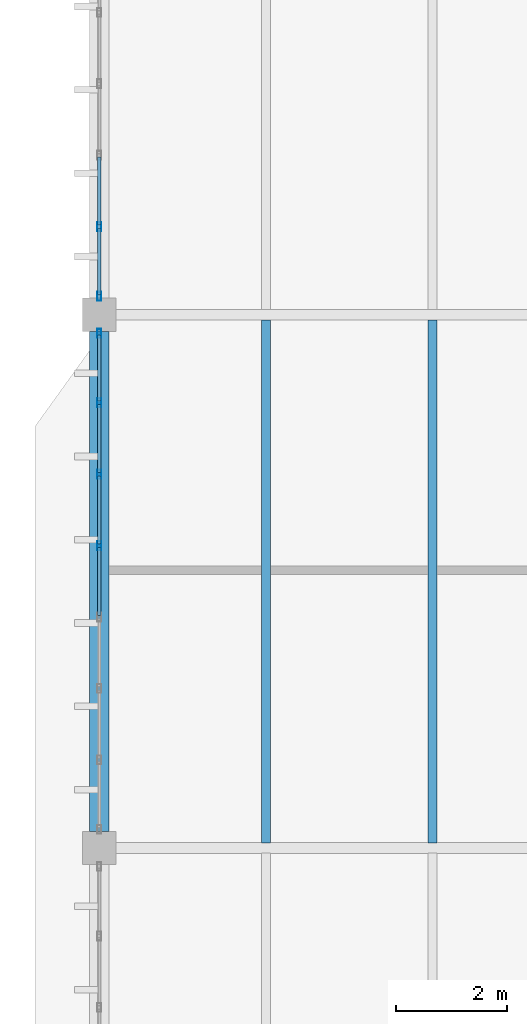
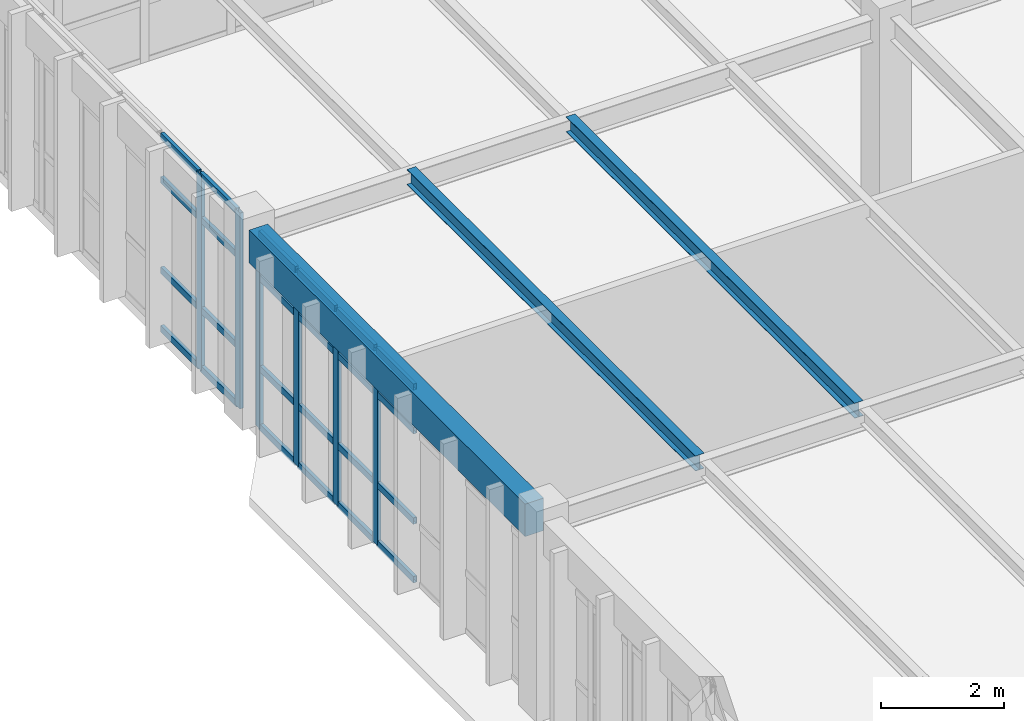
# One storey, part 45 of 83: 30 members, 3 beams, 2 elements without a shape of their own.
"""IFC4 building model written with IfcOpenShell, lengths in metres."""

from ifc_helpers import new_model, si_unit, direction, frame, origin, origin_2d, place, context, subcontext, project, spatial, rectangle, hollow_rectangle, i_section, extrude, material, layer, layer_set, material_profile, profile_set, type_object, element, aggregate, save


model = new_model("IFC4")

# Units and contexts
model_context = context("Model", 3, precision=1e-05, world=origin(), true_north=direction((0.0, 1.0)))
body_context = subcontext(model_context, "Body", "Model", "MODEL_VIEW")
ifc_project = project(units=[si_unit("LENGTHUNIT", "METRE"), si_unit("AREAUNIT", "SQUARE_METRE"), si_unit("VOLUMEUNIT", "CUBIC_METRE"), si_unit("PLANEANGLEUNIT", "RADIAN"), si_unit("MASSUNIT", "GRAM", prefix="KILO")], contexts=[model_context])

# Site, building, storey
site_placement = place(None, origin())
site = spatial("IfcSite", under=ifc_project, at=site_placement, CompositionType="ELEMENT")
building_placement = place(site_placement, origin())
building = spatial("IfcBuilding", under=site, at=building_placement, Name="Pandanus Reach Market Hall", CompositionType="ELEMENT")
storey_placement = place(building_placement, frame((0.0, 0.0, 10.199951171875)))
storey = spatial("IfcBuildingStorey", under=building, at=storey_placement, Name="L02", CompositionType="ELEMENT", Elevation=10.199951171875)

# Beam
ifc_material_1 = material(Name="Concrete N40 (40 MPa)", Category="concrete")
ifc_material_profile_1 = material_profile(ifc_material_1, rectangle(XDim=0.35009765625, YDim=0.64990234375, at=origin_2d()), Name="RC350x650", Category="LoadBearing")
ifc_profile_set_1 = profile_set([ifc_material_profile_1], Name="Concrete N40 (40 MPa)")
beam_type_1 = type_object("IfcBeamType", Name="BM-RC350-E", PredefinedType="SPANDREL", material=ifc_profile_set_1)
beam_placement = place(storey_placement, frame((144.0, 67.498046875, 3.625), z_axis=(0.0, 1.0, 0.0), x_axis=(-1.0, 0.0, 0.0)))
element("IfcBeam", 1, at=beam_placement, inside=storey, type_object=beam_type_1, Name="Framing beam BM-RC350-E L02.466", PredefinedType="SPANDREL", context=body_context, shape_type="SweptSolid", body=[
    extrude(rectangle(XDim=0.35009765625, YDim=0.64990234375, at=origin_2d()), origin(), (0.0, 0.0, 1.0), 9.00390625),
])

# Curtain wall, members
ifc_material_2 = material(Name="Bronze anodised aluminium and low-E glass", Category="aluminium")
ifc_layer = layer(ifc_material_2, 0.159912109375, Name="CW-33")
ifc_layer_set = layer_set([ifc_layer], Name="Bronze anodised aluminium and low-E glass")
curtain_wall_type = type_object("IfcCurtainWallType", Name="CW-33", PredefinedType="NOTDEFINED", material=ifc_layer_set)
curtain_wall_1_placement = place(storey_placement, origin())
curtain_wall_1 = element("IfcCurtainWall", 2, at=curtain_wall_1_placement, inside=storey, type_object=curtain_wall_type, Name="Glazed curtain wall CW-33 CW-0114", PredefinedType="NOTDEFINED")
ifc_material_3 = material(Name="Bronze anodised aluminium", Category="aluminium")
ifc_material_profile_2 = material_profile(ifc_material_3, hollow_rectangle(XDim=0.06494140625, YDim=0.159912109375, WallThickness=0.00390625, at=origin_2d()), Name="ALU65x160", Category="LoadBearing")
ifc_profile_set_2 = profile_set([ifc_material_profile_2], Name="Bronze anodised aluminium")
member_type_1 = type_object("IfcMemberType", Name="CW-M1", PredefinedType="MULLION", material=ifc_profile_set_2)
member_1_placement = place(storey_placement, frame((144.0, 72.642822265625, 0.0), z_axis=(0.0, 0.0, 1.0), x_axis=(-1.0, 0.0, 0.0)))
member_1 = element("IfcMember", 3, at=member_1_placement, type_object=member_type_1, Name="CW-33 mullion 5", PredefinedType="MULLION", context=body_context, shape_type="SweptSolid", body=[
    extrude(hollow_rectangle(XDim=0.06494140625, YDim=0.159912109375, WallThickness=0.00390625, at=origin_2d()), origin(), (0.0, 0.0, 1.0), 3.900146484375),
])
member_2_placement = place(storey_placement, frame((144.0, 73.928466796875, 0.0), z_axis=(0.0, 0.0, 1.0), x_axis=(-1.0, 0.0, 0.0)))
member_2 = element("IfcMember", 4, at=member_2_placement, type_object=member_type_1, Name="CW-33 mullion 6", PredefinedType="MULLION", context=body_context, shape_type="SweptSolid", body=[
    extrude(hollow_rectangle(XDim=0.06494140625, YDim=0.159912109375, WallThickness=0.00390625, at=origin_2d()), origin(), (0.0, 0.0, 1.0), 3.900146484375),
])
member_3_placement = place(storey_placement, frame((144.0, 75.21435546875, 0.0), z_axis=(0.0, 0.0, 1.0), x_axis=(-1.0, 0.0, 0.0)))
member_3 = element("IfcMember", 5, at=member_3_placement, type_object=member_type_1, Name="CW-33 mullion 7", PredefinedType="MULLION", context=body_context, shape_type="SweptSolid", body=[
    extrude(hollow_rectangle(XDim=0.06494140625, YDim=0.159912109375, WallThickness=0.00390625, at=origin_2d()), origin(), (0.0, 0.0, 1.0), 3.900146484375),
])
member_4_placement = place(storey_placement, frame((144.0, 76.467529296875, 0.0), z_axis=(0.0, 0.0, 1.0), x_axis=(-1.0, 0.0, 0.0)))
member_4 = element("IfcMember", 6, at=member_4_placement, type_object=member_type_1, Name="CW-33 mullion 8", PredefinedType="MULLION", context=body_context, shape_type="SweptSolid", body=[
    extrude(hollow_rectangle(XDim=0.06494140625, YDim=0.159912109375, WallThickness=0.00390625, at=origin_2d()), origin(), (0.0, 0.0, 1.0), 3.900146484375),
])

curtain_wall_2_placement = place(storey_placement, origin())
curtain_wall_2 = element("IfcCurtainWall", 7, at=curtain_wall_2_placement, inside=storey, type_object=curtain_wall_type, Name="Glazed curtain wall CW-33 CW-0115", PredefinedType="NOTDEFINED")
member_5_placement = place(storey_placement, frame((144.0, 77.132568359375, 0.0), z_axis=(0.0, 0.0, 1.0), x_axis=(-1.0, 0.0, 0.0)))
member_5 = element("IfcMember", 8, at=member_5_placement, type_object=member_type_1, Name="CW-33 mullion 1", PredefinedType="MULLION", context=body_context, shape_type="SweptSolid", body=[
    extrude(hollow_rectangle(XDim=0.06494140625, YDim=0.159912109375, WallThickness=0.00390625, at=origin_2d()), origin(), (0.0, 0.0, 1.0), 3.900146484375),
])
member_6_placement = place(storey_placement, frame((144.0, 78.3857421875, 0.0), z_axis=(0.0, 0.0, 1.0), x_axis=(-1.0, 0.0, 0.0)))
member_6 = element("IfcMember", 9, at=member_6_placement, type_object=member_type_1, Name="CW-33 mullion 2", PredefinedType="MULLION", context=body_context, shape_type="SweptSolid", body=[
    extrude(hollow_rectangle(XDim=0.06494140625, YDim=0.159912109375, WallThickness=0.00390625, at=origin_2d()), origin(), (0.0, 0.0, 1.0), 3.900146484375),
])

# Member
ifc_material_profile_3 = material_profile(ifc_material_3, hollow_rectangle(XDim=0.06494140625, YDim=0.1298828125, WallThickness=0.00390625, at=origin_2d()), Name="ALU65x130", Category="LoadBearing")
ifc_profile_set_3 = profile_set([ifc_material_profile_3], Name="Bronze anodised aluminium")
member_type_2 = type_object("IfcMemberType", Name="CW-T1", PredefinedType="USERDEFINED", material=ifc_profile_set_3)
member_7_placement = place(storey_placement, frame((144.0, 71.3896484375, 0.032470703125), z_axis=(0.0, 1.0, 0.0), x_axis=(-1.0, 0.0, 0.0)))
member_7 = element("IfcMember", 10, at=member_7_placement, type_object=member_type_2, Name="CW-33 transom 4.1", ObjectType="TRANSOM", PredefinedType="USERDEFINED", context=body_context, shape_type="SweptSolid", body=[
    extrude(hollow_rectangle(XDim=0.06494140625, YDim=0.1298828125, WallThickness=0.00390625, at=origin_2d()), origin(), (0.0, 0.0, 1.0), 1.220703125),
])

member_8_placement = place(storey_placement, frame((144.0, 71.3896484375, 1.199951171875), z_axis=(0.0, 1.0, 0.0), x_axis=(-1.0, 0.0, 0.0)))
member_8 = element("IfcMember", 11, at=member_8_placement, type_object=member_type_2, Name="CW-33 transom 4.2", ObjectType="TRANSOM", PredefinedType="USERDEFINED", context=body_context, shape_type="SweptSolid", body=[
    extrude(hollow_rectangle(XDim=0.06494140625, YDim=0.1298828125, WallThickness=0.00390625, at=origin_2d()), origin(), (0.0, 0.0, 1.0), 1.220703125),
])

member_9_placement = place(storey_placement, frame((144.0, 71.3896484375, 3.0), z_axis=(0.0, 1.0, 0.0), x_axis=(-1.0, 0.0, 0.0)))
member_9 = element("IfcMember", 12, at=member_9_placement, type_object=member_type_2, Name="CW-33 transom 4.3", ObjectType="TRANSOM", PredefinedType="USERDEFINED", context=body_context, shape_type="SweptSolid", body=[
    extrude(hollow_rectangle(XDim=0.06494140625, YDim=0.1298828125, WallThickness=0.00390625, at=origin_2d()), origin(), (0.0, 0.0, 1.0), 1.220703125),
])

member_10_placement = place(storey_placement, frame((144.0, 71.3896484375, 3.867431640625), z_axis=(0.0, 1.0, 0.0), x_axis=(-1.0, 0.0, 0.0)))
member_10 = element("IfcMember", 13, at=member_10_placement, type_object=member_type_2, Name="CW-33 transom 4.4", ObjectType="TRANSOM", PredefinedType="USERDEFINED", context=body_context, shape_type="SweptSolid", body=[
    extrude(hollow_rectangle(XDim=0.06494140625, YDim=0.1298828125, WallThickness=0.00390625, at=origin_2d()), origin(), (0.0, 0.0, 1.0), 1.220703125),
])

member_11_placement = place(storey_placement, frame((144.0, 72.67529296875, 0.032470703125), z_axis=(0.0, 1.0, 0.0), x_axis=(-1.0, 0.0, 0.0)))
member_11 = element("IfcMember", 14, at=member_11_placement, type_object=member_type_2, Name="CW-33 transom 5.1", ObjectType="TRANSOM", PredefinedType="USERDEFINED", context=body_context, shape_type="SweptSolid", body=[
    extrude(hollow_rectangle(XDim=0.06494140625, YDim=0.1298828125, WallThickness=0.00390625, at=origin_2d()), origin(), (0.0, 0.0, 1.0), 1.220703125),
])

member_12_placement = place(storey_placement, frame((144.0, 72.67529296875, 1.199951171875), z_axis=(0.0, 1.0, 0.0), x_axis=(-1.0, 0.0, 0.0)))
member_12 = element("IfcMember", 15, at=member_12_placement, type_object=member_type_2, Name="CW-33 transom 5.2", ObjectType="TRANSOM", PredefinedType="USERDEFINED", context=body_context, shape_type="SweptSolid", body=[
    extrude(hollow_rectangle(XDim=0.06494140625, YDim=0.1298828125, WallThickness=0.00390625, at=origin_2d()), origin(), (0.0, 0.0, 1.0), 1.220703125),
])

member_13_placement = place(storey_placement, frame((144.0, 72.67529296875, 3.0), z_axis=(0.0, 1.0, 0.0), x_axis=(-1.0, 0.0, 0.0)))
member_13 = element("IfcMember", 16, at=member_13_placement, type_object=member_type_2, Name="CW-33 transom 5.3", ObjectType="TRANSOM", PredefinedType="USERDEFINED", context=body_context, shape_type="SweptSolid", body=[
    extrude(hollow_rectangle(XDim=0.06494140625, YDim=0.1298828125, WallThickness=0.00390625, at=origin_2d()), origin(), (0.0, 0.0, 1.0), 1.220703125),
])

member_14_placement = place(storey_placement, frame((144.0, 72.67529296875, 3.867431640625), z_axis=(0.0, 1.0, 0.0), x_axis=(-1.0, 0.0, 0.0)))
member_14 = element("IfcMember", 17, at=member_14_placement, type_object=member_type_2, Name="CW-33 transom 5.4", ObjectType="TRANSOM", PredefinedType="USERDEFINED", context=body_context, shape_type="SweptSolid", body=[
    extrude(hollow_rectangle(XDim=0.06494140625, YDim=0.1298828125, WallThickness=0.00390625, at=origin_2d()), origin(), (0.0, 0.0, 1.0), 1.220703125),
])

member_15_placement = place(storey_placement, frame((144.0, 73.961181640625, 0.032470703125), z_axis=(0.0, 1.0, 0.0), x_axis=(-1.0, 0.0, 0.0)))
member_15 = element("IfcMember", 18, at=member_15_placement, type_object=member_type_2, Name="CW-33 transom 6.1", ObjectType="TRANSOM", PredefinedType="USERDEFINED", context=body_context, shape_type="SweptSolid", body=[
    extrude(hollow_rectangle(XDim=0.06494140625, YDim=0.1298828125, WallThickness=0.00390625, at=origin_2d()), origin(), (0.0, 0.0, 1.0), 1.220703125),
])

member_16_placement = place(storey_placement, frame((144.0, 73.961181640625, 1.199951171875), z_axis=(0.0, 1.0, 0.0), x_axis=(-1.0, 0.0, 0.0)))
member_16 = element("IfcMember", 19, at=member_16_placement, type_object=member_type_2, Name="CW-33 transom 6.2", ObjectType="TRANSOM", PredefinedType="USERDEFINED", context=body_context, shape_type="SweptSolid", body=[
    extrude(hollow_rectangle(XDim=0.06494140625, YDim=0.1298828125, WallThickness=0.00390625, at=origin_2d()), origin(), (0.0, 0.0, 1.0), 1.220703125),
])

member_17_placement = place(storey_placement, frame((144.0, 73.961181640625, 3.0), z_axis=(0.0, 1.0, 0.0), x_axis=(-1.0, 0.0, 0.0)))
member_17 = element("IfcMember", 20, at=member_17_placement, type_object=member_type_2, Name="CW-33 transom 6.3", ObjectType="TRANSOM", PredefinedType="USERDEFINED", context=body_context, shape_type="SweptSolid", body=[
    extrude(hollow_rectangle(XDim=0.06494140625, YDim=0.1298828125, WallThickness=0.00390625, at=origin_2d()), origin(), (0.0, 0.0, 1.0), 1.220703125),
])

member_18_placement = place(storey_placement, frame((144.0, 73.961181640625, 3.867431640625), z_axis=(0.0, 1.0, 0.0), x_axis=(-1.0, 0.0, 0.0)))
member_18 = element("IfcMember", 21, at=member_18_placement, type_object=member_type_2, Name="CW-33 transom 6.4", ObjectType="TRANSOM", PredefinedType="USERDEFINED", context=body_context, shape_type="SweptSolid", body=[
    extrude(hollow_rectangle(XDim=0.06494140625, YDim=0.1298828125, WallThickness=0.00390625, at=origin_2d()), origin(), (0.0, 0.0, 1.0), 1.220703125),
])

member_19_placement = place(storey_placement, frame((144.0, 75.246826171875, 0.032470703125), z_axis=(0.0, 1.0, 0.0), x_axis=(-1.0, 0.0, 0.0)))
member_19 = element("IfcMember", 22, at=member_19_placement, type_object=member_type_2, Name="CW-33 transom 7.1", ObjectType="TRANSOM", PredefinedType="USERDEFINED", context=body_context, shape_type="SweptSolid", body=[
    extrude(hollow_rectangle(XDim=0.06494140625, YDim=0.1298828125, WallThickness=0.00390625, at=origin_2d()), origin(), (0.0, 0.0, 1.0), 1.188232421875),
])

member_20_placement = place(storey_placement, frame((144.0, 75.246826171875, 1.199951171875), z_axis=(0.0, 1.0, 0.0), x_axis=(-1.0, 0.0, 0.0)))
member_20 = element("IfcMember", 23, at=member_20_placement, type_object=member_type_2, Name="CW-33 transom 7.2", ObjectType="TRANSOM", PredefinedType="USERDEFINED", context=body_context, shape_type="SweptSolid", body=[
    extrude(hollow_rectangle(XDim=0.06494140625, YDim=0.1298828125, WallThickness=0.00390625, at=origin_2d()), origin(), (0.0, 0.0, 1.0), 1.188232421875),
])

member_21_placement = place(storey_placement, frame((144.0, 75.246826171875, 3.0), z_axis=(0.0, 1.0, 0.0), x_axis=(-1.0, 0.0, 0.0)))
member_21 = element("IfcMember", 24, at=member_21_placement, type_object=member_type_2, Name="CW-33 transom 7.3", ObjectType="TRANSOM", PredefinedType="USERDEFINED", context=body_context, shape_type="SweptSolid", body=[
    extrude(hollow_rectangle(XDim=0.06494140625, YDim=0.1298828125, WallThickness=0.00390625, at=origin_2d()), origin(), (0.0, 0.0, 1.0), 1.188232421875),
])

member_22_placement = place(storey_placement, frame((144.0, 75.246826171875, 3.867431640625), z_axis=(0.0, 1.0, 0.0), x_axis=(-1.0, 0.0, 0.0)))
member_22 = element("IfcMember", 25, at=member_22_placement, type_object=member_type_2, Name="CW-33 transom 7.4", ObjectType="TRANSOM", PredefinedType="USERDEFINED", context=body_context, shape_type="SweptSolid", body=[
    extrude(hollow_rectangle(XDim=0.06494140625, YDim=0.1298828125, WallThickness=0.00390625, at=origin_2d()), origin(), (0.0, 0.0, 1.0), 1.188232421875),
])

aggregate(curtain_wall_1, [member_1, member_2, member_3, member_4, member_7, member_8, member_9, member_10, member_11, member_12, member_13, member_14, member_15, member_16, member_17, member_18, member_19, member_20, member_21, member_22])

member_23_placement = place(storey_placement, frame((144.0, 77.1650390625, 0.032470703125), z_axis=(0.0, 1.0, 0.0), x_axis=(-1.0, 0.0, 0.0)))
member_23 = element("IfcMember", 26, at=member_23_placement, type_object=member_type_2, Name="CW-33 transom 1.1", ObjectType="TRANSOM", PredefinedType="USERDEFINED", context=body_context, shape_type="SweptSolid", body=[
    extrude(hollow_rectangle(XDim=0.06494140625, YDim=0.1298828125, WallThickness=0.00390625, at=origin_2d()), origin(), (0.0, 0.0, 1.0), 1.188232421875),
])

member_24_placement = place(storey_placement, frame((144.0, 77.1650390625, 1.199951171875), z_axis=(0.0, 1.0, 0.0), x_axis=(-1.0, 0.0, 0.0)))
member_24 = element("IfcMember", 27, at=member_24_placement, type_object=member_type_2, Name="CW-33 transom 1.2", ObjectType="TRANSOM", PredefinedType="USERDEFINED", context=body_context, shape_type="SweptSolid", body=[
    extrude(hollow_rectangle(XDim=0.06494140625, YDim=0.1298828125, WallThickness=0.00390625, at=origin_2d()), origin(), (0.0, 0.0, 1.0), 1.188232421875),
])

member_25_placement = place(storey_placement, frame((144.0, 77.1650390625, 3.0), z_axis=(0.0, 1.0, 0.0), x_axis=(-1.0, 0.0, 0.0)))
member_25 = element("IfcMember", 28, at=member_25_placement, type_object=member_type_2, Name="CW-33 transom 1.3", ObjectType="TRANSOM", PredefinedType="USERDEFINED", context=body_context, shape_type="SweptSolid", body=[
    extrude(hollow_rectangle(XDim=0.06494140625, YDim=0.1298828125, WallThickness=0.00390625, at=origin_2d()), origin(), (0.0, 0.0, 1.0), 1.188232421875),
])

member_26_placement = place(storey_placement, frame((144.0, 77.1650390625, 3.867431640625), z_axis=(0.0, 1.0, 0.0), x_axis=(-1.0, 0.0, 0.0)))
member_26 = element("IfcMember", 29, at=member_26_placement, type_object=member_type_2, Name="CW-33 transom 1.4", ObjectType="TRANSOM", PredefinedType="USERDEFINED", context=body_context, shape_type="SweptSolid", body=[
    extrude(hollow_rectangle(XDim=0.06494140625, YDim=0.1298828125, WallThickness=0.00390625, at=origin_2d()), origin(), (0.0, 0.0, 1.0), 1.188232421875),
])

member_27_placement = place(storey_placement, frame((144.0, 78.418212890625, 0.032470703125), z_axis=(0.0, 1.0, 0.0), x_axis=(-1.0, 0.0, 0.0)))
member_27 = element("IfcMember", 30, at=member_27_placement, type_object=member_type_2, Name="CW-33 transom 2.1", ObjectType="TRANSOM", PredefinedType="USERDEFINED", context=body_context, shape_type="SweptSolid", body=[
    extrude(hollow_rectangle(XDim=0.06494140625, YDim=0.1298828125, WallThickness=0.00390625, at=origin_2d()), origin(), (0.0, 0.0, 1.0), 1.220703125),
])

member_28_placement = place(storey_placement, frame((144.0, 78.418212890625, 1.199951171875), z_axis=(0.0, 1.0, 0.0), x_axis=(-1.0, 0.0, 0.0)))
member_28 = element("IfcMember", 31, at=member_28_placement, type_object=member_type_2, Name="CW-33 transom 2.2", ObjectType="TRANSOM", PredefinedType="USERDEFINED", context=body_context, shape_type="SweptSolid", body=[
    extrude(hollow_rectangle(XDim=0.06494140625, YDim=0.1298828125, WallThickness=0.00390625, at=origin_2d()), origin(), (0.0, 0.0, 1.0), 1.220703125),
])

member_29_placement = place(storey_placement, frame((144.0, 78.418212890625, 3.0), z_axis=(0.0, 1.0, 0.0), x_axis=(-1.0, 0.0, 0.0)))
member_29 = element("IfcMember", 32, at=member_29_placement, type_object=member_type_2, Name="CW-33 transom 2.3", ObjectType="TRANSOM", PredefinedType="USERDEFINED", context=body_context, shape_type="SweptSolid", body=[
    extrude(hollow_rectangle(XDim=0.06494140625, YDim=0.1298828125, WallThickness=0.00390625, at=origin_2d()), origin(), (0.0, 0.0, 1.0), 1.220703125),
])

member_30_placement = place(storey_placement, frame((144.0, 78.418212890625, 3.867431640625), z_axis=(0.0, 1.0, 0.0), x_axis=(-1.0, 0.0, 0.0)))
member_30 = element("IfcMember", 33, at=member_30_placement, type_object=member_type_2, Name="CW-33 transom 2.4", ObjectType="TRANSOM", PredefinedType="USERDEFINED", context=body_context, shape_type="SweptSolid", body=[
    extrude(hollow_rectangle(XDim=0.06494140625, YDim=0.1298828125, WallThickness=0.00390625, at=origin_2d()), origin(), (0.0, 0.0, 1.0), 1.220703125),
])

aggregate(curtain_wall_2, [member_5, member_6, member_23, member_24, member_25, member_26, member_27, member_28, member_29, member_30])

# Beams
ifc_material_4 = material(Name="Steel Grade 350 (350 MPa)", Category="steel")
ifc_material_profile_4 = material_profile(ifc_material_4, i_section(OverallWidth=0.1650390625, OverallDepth=0.303955078125, WebThickness=0.006103515625, FlangeThickness=0.01025390625, at=origin_2d()), Name="310UB40.4", Category="LoadBearing")
ifc_profile_set_4 = profile_set([ifc_material_profile_4], Name="Steel Grade 350 (350 MPa)")
beam_type_2 = type_object("IfcBeamType", Name="JS-UB310-I", PredefinedType="JOIST", material=ifc_profile_set_4)
for number, where, z_axis, x_axis, name in (
    (34, (147.0, 67.29296875, 3.797607421875), (0.0, 1.0, 0.0), (-1.0, 0.0, 0.0), "Secondary joist JS-UB310-I L02.501"),
    (35, (150.0, 67.29296875, 3.797607421875), (0.0, 1.0, 0.0), (-1.0, 0.0, 0.0), "Secondary joist JS-UB310-I L02.502"),
):
    element("IfcBeam", number, at=place(storey_placement, frame(where, z_axis=z_axis, x_axis=x_axis)), inside=storey, type_object=beam_type_2, Name=name, PredefinedType="JOIST", context=body_context, shape_type="SweptSolid", body=[
        extrude(i_section(OverallWidth=0.1650390625, OverallDepth=0.303955078125, WebThickness=0.006103515625, FlangeThickness=0.01025390625, at=origin_2d()), origin(), (0.0, 0.0, 1.0), 9.4140625),
    ])

save(model, "model.ifc")
